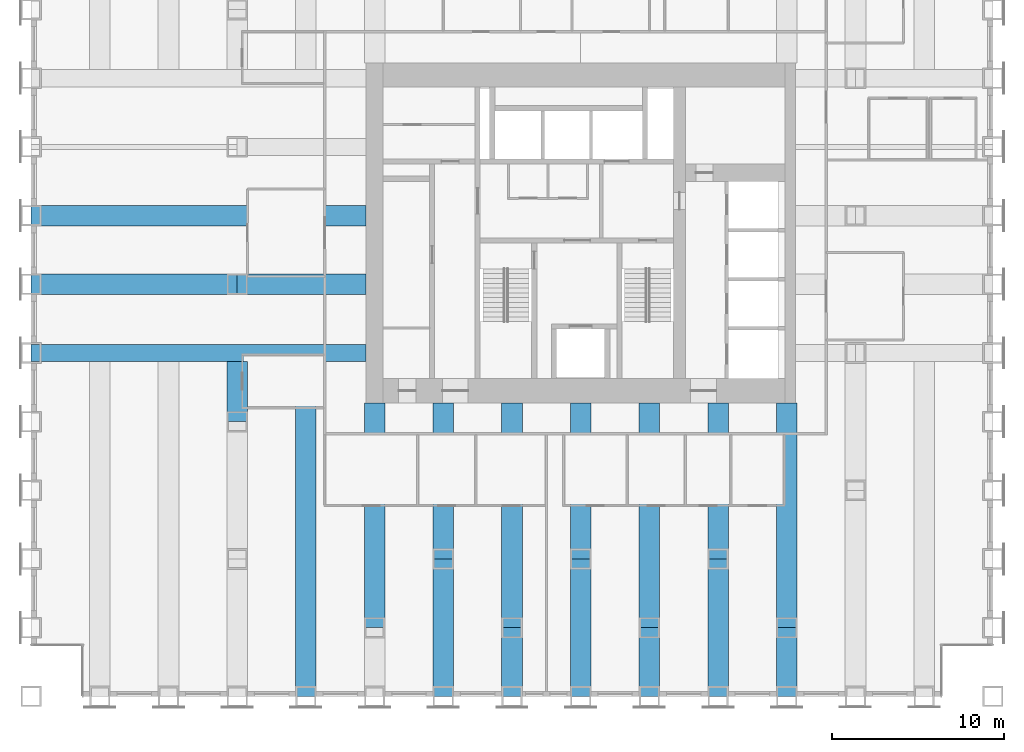
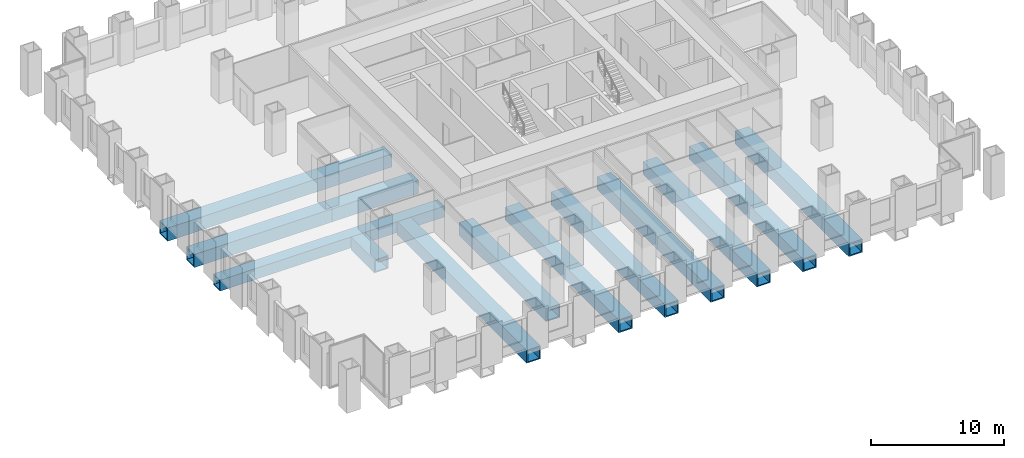
# One storey, part 3 of 14: 19 beams.
"""IFC4 building model written with IfcOpenShell, lengths in metres."""

from ifc_helpers import new_model, si_unit, direction, frame, origin, origin_2d, place, context, subcontext, project, spatial, hollow_rectangle, extrude, material, material_profile, profile_set, type_object, element, save


model = new_model("IFC4")

# Units and contexts
model_context = context("Model", 3, precision=1e-05, world=origin(), true_north=direction((0.0, 1.0)))
body_context = subcontext(model_context, "Body", "Model", "MODEL_VIEW")
ifc_project = project(units=[si_unit("LENGTHUNIT", "METRE"), si_unit("AREAUNIT", "SQUARE_METRE"), si_unit("VOLUMEUNIT", "CUBIC_METRE"), si_unit("PLANEANGLEUNIT", "RADIAN"), si_unit("MASSUNIT", "GRAM", prefix="KILO")], contexts=[model_context])

# Site, building, storey
site_placement = place(None, origin())
site = spatial("IfcSite", under=ifc_project, at=site_placement, CompositionType="ELEMENT")
building_placement = place(site_placement, origin())
building = spatial("IfcBuilding", under=site, at=building_placement, Name="Rimbunsela Tower", CompositionType="ELEMENT")
storey_placement = place(building_placement, frame((0.0, 0.0, 47.0)))
storey = spatial("IfcBuildingStorey", under=building, at=storey_placement, Name="L11", CompositionType="ELEMENT", Elevation=47.0)

# Beams
ifc_material_1 = material(Name="Steel BJ 55 (fy 410 MPa)", Category="steel")
ifc_material_profile_1 = material_profile(ifc_material_1, hollow_rectangle(XDim=1.0, YDim=1.0, WallThickness=0.10009765625, at=origin_2d()), Name="BOX 1000x1000x100")
ifc_profile_set_1 = profile_set([ifc_material_profile_1], Name="Steel BJ 55 (fy 410 MPa)")
beam_type_1 = type_object("IfcBeamType", Name="Beam BOX 1000x1000x100", PredefinedType="BEAM", material=ifc_profile_set_1)
beam_1_placement = place(storey_placement, frame((-2.0, 20.0, -0.64990234375), z_axis=(1.0, 0.0, 0.0), x_axis=(0.0, 1.0, 0.0)))
element("IfcBeam", 1, at=beam_1_placement, inside=storey, type_object=beam_type_1, Name="Beam B3 L11", PredefinedType="BEAM", context=body_context, shape_type="SweptSolid", body=[
    extrude(hollow_rectangle(XDim=1.0, YDim=1.0, WallThickness=0.10009765625, at=origin_2d()), origin(), (0.0, 0.0, 1.0), 19.5),
])
ifc_material_2 = material(Name="Steel BJ 55 (fy 410 MPa)", Category="steel")
ifc_material_profile_2 = material_profile(ifc_material_2, hollow_rectangle(XDim=1.199951171875, YDim=1.199951171875, WallThickness=0.10009765625, at=origin_2d()), Name="BOX 1200x1200x100")
ifc_profile_set_2 = profile_set([ifc_material_profile_2], Name="Steel BJ 55 (fy 410 MPa)")
beam_type_2 = type_object("IfcBeamType", Name="Beam BOX 1200x1200x100", PredefinedType="BEAM", material=ifc_profile_set_2)
beam_2_placement = place(storey_placement, frame((-2.0, 24.0, -0.75), z_axis=(1.0, 0.0, 0.0), x_axis=(0.0, 1.0, 0.0)))
element("IfcBeam", 2, at=beam_2_placement, inside=storey, type_object=beam_type_2, Name="Beam B5 L11", PredefinedType="BEAM", context=body_context, shape_type="SweptSolid", body=[
    extrude(hollow_rectangle(XDim=1.199951171875, YDim=1.199951171875, WallThickness=0.10009765625, at=origin_2d()), origin(), (0.0, 0.0, 1.0), 12.0),
])
beam_3_placement = place(storey_placement, frame((-2.0, 28.0, -0.75), z_axis=(1.0, 0.0, 0.0), x_axis=(0.0, 1.0, 0.0)))
element("IfcBeam", 3, at=beam_3_placement, inside=storey, type_object=beam_type_2, Name="Beam B5 L11", PredefinedType="BEAM", context=body_context, shape_type="SweptSolid", body=[
    extrude(hollow_rectangle(XDim=1.199951171875, YDim=1.199951171875, WallThickness=0.10009765625, at=origin_2d()), origin(), (0.0, 0.0, 1.0), 19.5),
])
beam_4_placement = place(storey_placement, frame((10.0, 16.0, -0.75), z_axis=(0.0, 1.0, 0.0), x_axis=(-1.0, 0.0, 0.0)))
element("IfcBeam", 4, at=beam_4_placement, inside=storey, type_object=beam_type_2, Name="Beam B5 L11", PredefinedType="BEAM", context=body_context, shape_type="SweptSolid", body=[
    extrude(hollow_rectangle(XDim=1.199951171875, YDim=1.199951171875, WallThickness=0.10009765625, at=origin_2d()), origin(), (0.0, 0.0, 1.0), 3.5),
])
beam_5_placement = place(storey_placement, frame((10.0, 24.0, -0.75), z_axis=(1.0, 0.0, 0.0), x_axis=(0.0, 1.0, 0.0)))
element("IfcBeam", 5, at=beam_5_placement, inside=storey, type_object=beam_type_2, Name="Beam B5 L11", PredefinedType="BEAM", context=body_context, shape_type="SweptSolid", body=[
    extrude(hollow_rectangle(XDim=1.199951171875, YDim=1.199951171875, WallThickness=0.10009765625, at=origin_2d()), origin(), (0.0, 0.0, 1.0), 7.5),
])
beam_6_placement = place(storey_placement, frame((14.0, 0.0, -0.75), z_axis=(0.0, 1.0, 0.0), x_axis=(-1.0, 0.0, 0.0)))
element("IfcBeam", 6, at=beam_6_placement, inside=storey, type_object=beam_type_2, Name="Beam B5 L11", PredefinedType="BEAM", context=body_context, shape_type="SweptSolid", body=[
    extrude(hollow_rectangle(XDim=1.199951171875, YDim=1.199951171875, WallThickness=0.10009765625, at=origin_2d()), origin(), (0.0, 0.0, 1.0), 19.5),
])
beam_7_placement = place(storey_placement, frame((18.0, 4.0, -0.75), z_axis=(0.0, 1.0, 0.0), x_axis=(-1.0, 0.0, 0.0)))
element("IfcBeam", 7, at=beam_7_placement, inside=storey, type_object=beam_type_2, Name="Beam B5 L11", PredefinedType="BEAM", context=body_context, shape_type="SweptSolid", body=[
    extrude(hollow_rectangle(XDim=1.199951171875, YDim=1.199951171875, WallThickness=0.10009765625, at=origin_2d()), origin(), (0.0, 0.0, 1.0), 13.10009765625),
])
beam_8_placement = place(storey_placement, frame((22.0, 0.0, -0.75), z_axis=(0.0, 1.0, 0.0), x_axis=(-1.0, 0.0, 0.0)))
element("IfcBeam", 8, at=beam_8_placement, inside=storey, type_object=beam_type_2, Name="Beam B5 L11", PredefinedType="BEAM", context=body_context, shape_type="SweptSolid", body=[
    extrude(hollow_rectangle(XDim=1.199951171875, YDim=1.199951171875, WallThickness=0.10009765625, at=origin_2d()), origin(), (0.0, 0.0, 1.0), 8.0),
])
beam_9_placement = place(storey_placement, frame((22.0, 8.0, -0.75), z_axis=(0.0, 1.0, 0.0), x_axis=(-1.0, 0.0, 0.0)))
element("IfcBeam", 9, at=beam_9_placement, inside=storey, type_object=beam_type_2, Name="Beam B5 L11", PredefinedType="BEAM", context=body_context, shape_type="SweptSolid", body=[
    extrude(hollow_rectangle(XDim=1.199951171875, YDim=1.199951171875, WallThickness=0.10009765625, at=origin_2d()), origin(), (0.0, 0.0, 1.0), 9.10009765625),
])
beam_10_placement = place(storey_placement, frame((26.0, 0.0, -0.75), z_axis=(0.0, 1.0, 0.0), x_axis=(-1.0, 0.0, 0.0)))
element("IfcBeam", 10, at=beam_10_placement, inside=storey, type_object=beam_type_2, Name="Beam B5 L11", PredefinedType="BEAM", context=body_context, shape_type="SweptSolid", body=[
    extrude(hollow_rectangle(XDim=1.199951171875, YDim=1.199951171875, WallThickness=0.10009765625, at=origin_2d()), origin(), (0.0, 0.0, 1.0), 4.0),
])
beam_11_placement = place(storey_placement, frame((26.0, 4.0, -0.75), z_axis=(0.0, 1.0, 0.0), x_axis=(-1.0, 0.0, 0.0)))
element("IfcBeam", 11, at=beam_11_placement, inside=storey, type_object=beam_type_2, Name="Beam B5 L11", PredefinedType="BEAM", context=body_context, shape_type="SweptSolid", body=[
    extrude(hollow_rectangle(XDim=1.199951171875, YDim=1.199951171875, WallThickness=0.10009765625, at=origin_2d()), origin(), (0.0, 0.0, 1.0), 13.10009765625),
])
beam_12_placement = place(storey_placement, frame((30.0, 0.0, -0.75), z_axis=(0.0, 1.0, 0.0), x_axis=(-1.0, 0.0, 0.0)))
element("IfcBeam", 12, at=beam_12_placement, inside=storey, type_object=beam_type_2, Name="Beam B5 L11", PredefinedType="BEAM", context=body_context, shape_type="SweptSolid", body=[
    extrude(hollow_rectangle(XDim=1.199951171875, YDim=1.199951171875, WallThickness=0.10009765625, at=origin_2d()), origin(), (0.0, 0.0, 1.0), 8.0),
])
beam_13_placement = place(storey_placement, frame((30.0, 8.0, -0.75), z_axis=(0.0, 1.0, 0.0), x_axis=(-1.0, 0.0, 0.0)))
element("IfcBeam", 13, at=beam_13_placement, inside=storey, type_object=beam_type_2, Name="Beam B5 L11", PredefinedType="BEAM", context=body_context, shape_type="SweptSolid", body=[
    extrude(hollow_rectangle(XDim=1.199951171875, YDim=1.199951171875, WallThickness=0.10009765625, at=origin_2d()), origin(), (0.0, 0.0, 1.0), 9.10009765625),
])
beam_14_placement = place(storey_placement, frame((34.0, 0.0, -0.75), z_axis=(0.0, 1.0, 0.0), x_axis=(-1.0, 0.0, 0.0)))
element("IfcBeam", 14, at=beam_14_placement, inside=storey, type_object=beam_type_2, Name="Beam B5 L11", PredefinedType="BEAM", context=body_context, shape_type="SweptSolid", body=[
    extrude(hollow_rectangle(XDim=1.199951171875, YDim=1.199951171875, WallThickness=0.10009765625, at=origin_2d()), origin(), (0.0, 0.0, 1.0), 4.0),
])
beam_15_placement = place(storey_placement, frame((34.0, 4.0, -0.75), z_axis=(0.0, 1.0, 0.0), x_axis=(-1.0, 0.0, 0.0)))
element("IfcBeam", 15, at=beam_15_placement, inside=storey, type_object=beam_type_2, Name="Beam B5 L11", PredefinedType="BEAM", context=body_context, shape_type="SweptSolid", body=[
    extrude(hollow_rectangle(XDim=1.199951171875, YDim=1.199951171875, WallThickness=0.10009765625, at=origin_2d()), origin(), (0.0, 0.0, 1.0), 13.10009765625),
])
beam_16_placement = place(storey_placement, frame((38.0, 0.0, -0.75), z_axis=(0.0, 1.0, 0.0), x_axis=(-1.0, 0.0, 0.0)))
element("IfcBeam", 16, at=beam_16_placement, inside=storey, type_object=beam_type_2, Name="Beam B5 L11", PredefinedType="BEAM", context=body_context, shape_type="SweptSolid", body=[
    extrude(hollow_rectangle(XDim=1.199951171875, YDim=1.199951171875, WallThickness=0.10009765625, at=origin_2d()), origin(), (0.0, 0.0, 1.0), 8.0),
])
beam_17_placement = place(storey_placement, frame((38.0, 8.0, -0.75), z_axis=(0.0, 1.0, 0.0), x_axis=(-1.0, 0.0, 0.0)))
element("IfcBeam", 17, at=beam_17_placement, inside=storey, type_object=beam_type_2, Name="Beam B5 L11", PredefinedType="BEAM", context=body_context, shape_type="SweptSolid", body=[
    extrude(hollow_rectangle(XDim=1.199951171875, YDim=1.199951171875, WallThickness=0.10009765625, at=origin_2d()), origin(), (0.0, 0.0, 1.0), 9.10009765625),
])
beam_18_placement = place(storey_placement, frame((42.0, 0.0, -0.75), z_axis=(0.0, 1.0, 0.0), x_axis=(-1.0, 0.0, 0.0)))
element("IfcBeam", 18, at=beam_18_placement, inside=storey, type_object=beam_type_2, Name="Beam B5 L11", PredefinedType="BEAM", context=body_context, shape_type="SweptSolid", body=[
    extrude(hollow_rectangle(XDim=1.199951171875, YDim=1.199951171875, WallThickness=0.10009765625, at=origin_2d()), origin(), (0.0, 0.0, 1.0), 4.0),
])
beam_19_placement = place(storey_placement, frame((42.0, 4.0, -0.75), z_axis=(0.0, 1.0, 0.0), x_axis=(-1.0, 0.0, 0.0)))
element("IfcBeam", 19, at=beam_19_placement, inside=storey, type_object=beam_type_2, Name="Beam B5 L11", PredefinedType="BEAM", context=body_context, shape_type="SweptSolid", body=[
    extrude(hollow_rectangle(XDim=1.199951171875, YDim=1.199951171875, WallThickness=0.10009765625, at=origin_2d()), origin(), (0.0, 0.0, 1.0), 13.10009765625),
])

save(model, "model.ifc")
